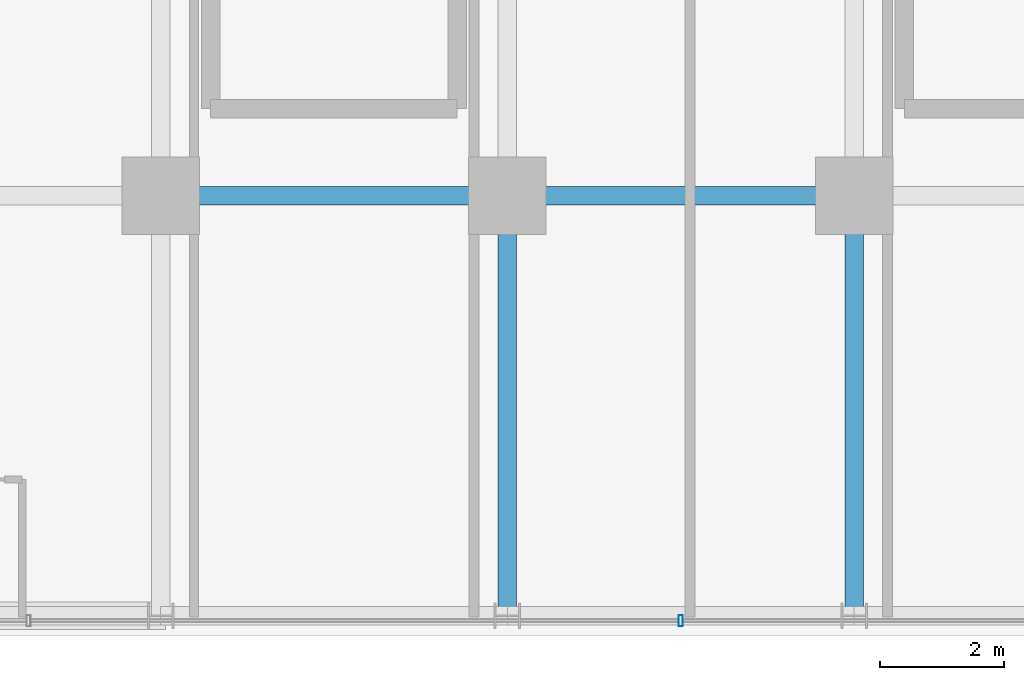
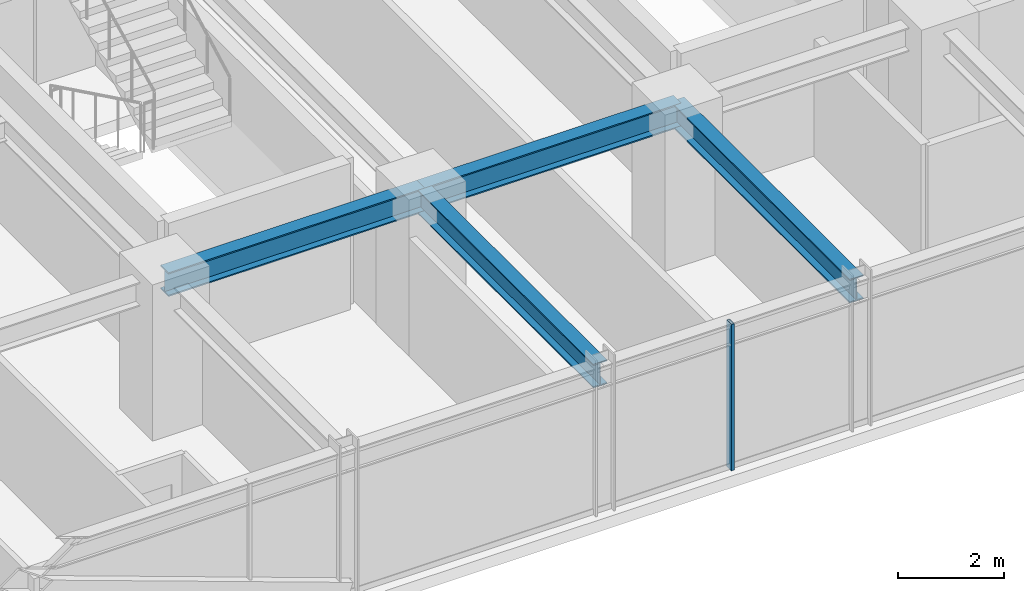
# One storey, part 6 of 34: 4 beams, 1 member, 1 element without a shape of its own.
"""IFC4 building model written with IfcOpenShell, lengths in metres."""

from ifc_helpers import new_model, si_unit, direction, frame, origin, origin_2d, place, context, subcontext, project, spatial, hollow_rectangle, i_section, extrude, source, transform, mapped, material, material_profile, profile_set, type_object, element, aggregate, save


model = new_model("IFC4")

# Units and contexts
model_context = context("Model", 3, precision=1e-05, world=origin(), true_north=direction((0.0, 1.0)))
body_context = subcontext(model_context, "Body", "Model", "MODEL_VIEW")
ifc_project = project(units=[si_unit("LENGTHUNIT", "METRE"), si_unit("AREAUNIT", "SQUARE_METRE"), si_unit("VOLUMEUNIT", "CUBIC_METRE"), si_unit("PLANEANGLEUNIT", "RADIAN"), si_unit("MASSUNIT", "GRAM", prefix="KILO")], contexts=[model_context])

# Site, building, storey
site_placement = place(None, origin())
site = spatial("IfcSite", under=ifc_project, at=site_placement, CompositionType="ELEMENT")
building_placement = place(site_placement, origin())
building = spatial("IfcBuilding", under=site, at=building_placement, Name="Nahalor Promenade Grand Hotel", CompositionType="ELEMENT")
storey_placement = place(building_placement, frame((0.0, 0.0, 128.449951171875)))
storey = spatial("IfcBuildingStorey", under=building, at=storey_placement, Name="L32", CompositionType="ELEMENT", Elevation=128.449951171875)

# Beams
ifc_material_1 = material(Name="Steel S355JR", Category="steel")
ifc_material_profile_1 = material_profile(ifc_material_1, i_section(OverallWidth=0.3, OverallDepth=0.55, WebThickness=0.015, FlangeThickness=0.029, at=origin_2d()), Name="HEB 550")
ifc_profile_set_1 = profile_set([ifc_material_profile_1], Name="Steel S355JR")
beam_type = type_object("IfcBeamType", Name="Beam-Girder-HEB550", PredefinedType="BEAM", material=ifc_profile_set_1)
shared_shape_1 = source(origin(), body_context, "Body", "SweptSolid", [
    extrude(i_section(OverallWidth=0.3, OverallDepth=0.55, WebThickness=0.015, FlangeThickness=0.029, at=origin_2d()), origin(), (0.0, 0.0, 1.0), 6.780029296875),
])
for number, where, z_axis, x_axis, name in (
    (1, (-2.800048828125, -23.780029296875, 3.10498046875), (0.0, 1.0, 0.0), (-1.0, 0.0, 0.0), "BM-L32-GY-2-0"),
    (2, (2.800048828125, -23.780029296875, 3.10498046875), (0.0, 1.0, 0.0), (-1.0, 0.0, 0.0), "BM-L32-GY-3-0"),
):
    element("IfcBeam", number, at=place(storey_placement, frame(where, z_axis=z_axis, x_axis=x_axis)), inside=storey, type_object=beam_type, Name=name, PredefinedType="BEAM", context=body_context, shape_type="MappedRepresentation", body=[
        mapped(shared_shape_1, transform((0.0, 0.0, 0.0), scale=1.0)),
    ])
shared_shape_2 = source(origin(), body_context, "Body", "SweptSolid", [
    extrude(i_section(OverallWidth=0.3, OverallDepth=0.55, WebThickness=0.015, FlangeThickness=0.029, at=origin_2d()), origin(), (0.0, 0.0, 1.0), 5.599853515625),
])
beam_1_placement = place(storey_placement, frame((-8.39990234375, -17.0, 3.10498046875), z_axis=(1.0, 0.0, 0.0), x_axis=(0.0, 1.0, 0.0)))
element("IfcBeam", 3, at=beam_1_placement, inside=storey, type_object=beam_type, Name="BM-L32-GX-0-2", PredefinedType="BEAM", context=body_context, shape_type="MappedRepresentation", body=[
    mapped(shared_shape_2, transform((0.0, 0.0, 0.0), scale=1.0)),
])
shared_shape_3 = source(origin(), body_context, "Body", "SweptSolid", [
    extrude(i_section(OverallWidth=0.3, OverallDepth=0.55, WebThickness=0.015, FlangeThickness=0.029, at=origin_2d()), origin(), (0.0, 0.0, 1.0), 5.60009765625),
])
beam_2_placement = place(storey_placement, frame((-2.800048828125, -17.0, 3.10498046875), z_axis=(1.0, 0.0, 0.0), x_axis=(0.0, 1.0, 0.0)))
element("IfcBeam", 4, at=beam_2_placement, inside=storey, type_object=beam_type, Name="BM-L32-GX-0-3", PredefinedType="BEAM", context=body_context, shape_type="MappedRepresentation", body=[
    mapped(shared_shape_3, transform((0.0, 0.0, 0.0), scale=1.0)),
])

# Curtain wall, member
ifc_material_2 = material(Name="Anodised Bronze Aluminium EN AW-6063 T6", Category="aluminium")
curtain_wall_type = type_object("IfcCurtainWallType", Name="CW2 Typical Hotel Flush Bronze Unitised Curtain Wall", PredefinedType="USERDEFINED", material=ifc_material_2)
curtain_wall_placement = place(storey_placement, origin())
curtain_wall = element("IfcCurtainWall", 5, at=curtain_wall_placement, inside=storey, type_object=curtain_wall_type, Name="L32 Curtain Wall CW-L32-S-1", ObjectType="UNITISED_CURTAIN_WALL", PredefinedType="USERDEFINED")
ifc_material_profile_2 = material_profile(ifc_material_2, hollow_rectangle(XDim=0.065, YDim=0.18, WallThickness=0.004, at=origin_2d()), Name="CWM 65x180x4")
ifc_profile_set_2 = profile_set([ifc_material_profile_2], Name="Anodised Bronze Aluminium EN AW-6063 T6")
member_type = type_object("IfcMemberType", Name="CWM2 Typical Bronze Mullion 65x180", PredefinedType="MULLION", material=ifc_profile_set_2)
shared_shape_4 = source(origin(), body_context, "Body", "SweptSolid", [
    extrude(hollow_rectangle(XDim=0.065, YDim=0.18, WallThickness=0.004, at=origin_2d()), origin(), (0.0, 0.0, 1.0), 3.380126953125),
])
member_placement = place(storey_placement, frame((0.0, -23.860107421875, 0.0), z_axis=(0.0, 0.0, 1.0), x_axis=(1.0, 0.0, 0.0)))
member = element("IfcMember", 6, at=member_placement, type_object=member_type, Name="CW-L32-S-1 Mullion 2", PredefinedType="MULLION", context=body_context, shape_type="MappedRepresentation", body=[
    mapped(shared_shape_4, transform((0.0, 0.0, 0.0), scale=1.0)),
])
aggregate(curtain_wall, [member])

save(model, "model.ifc")
